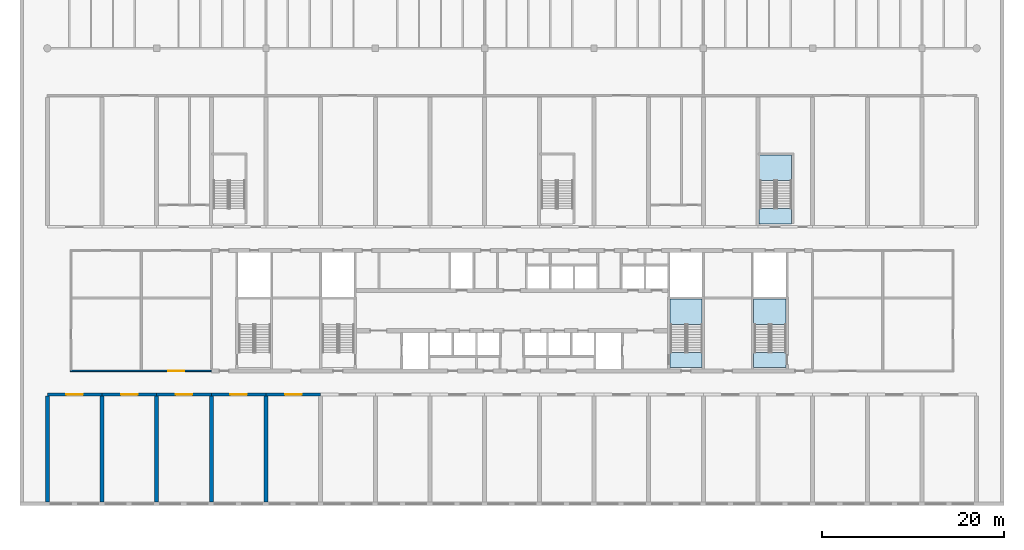
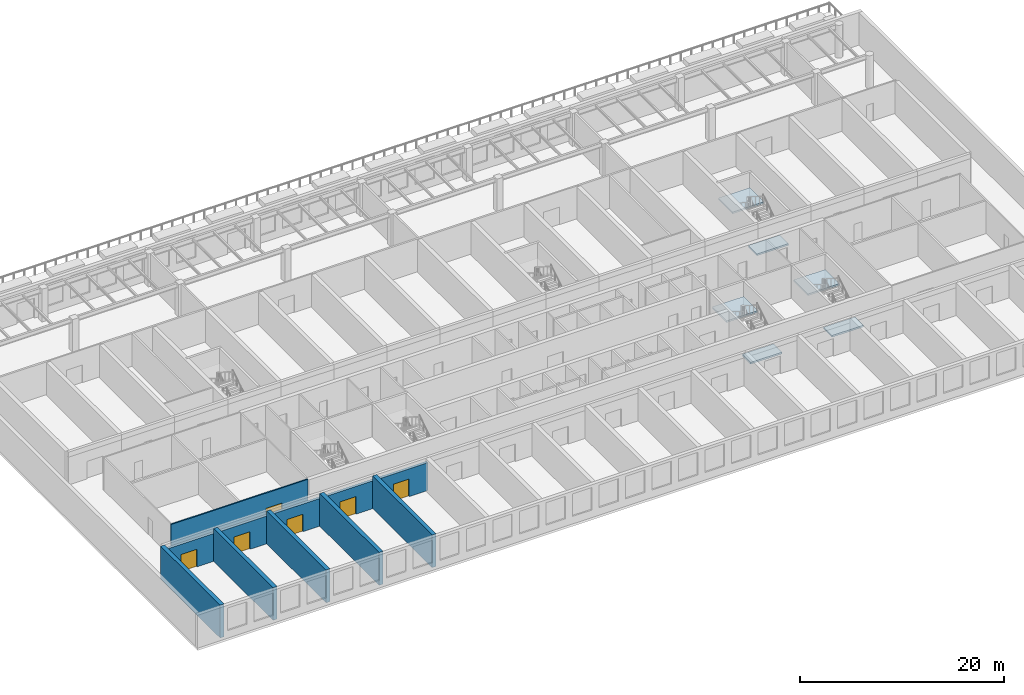
# One storey, part 2 of 16: 11 walls, 6 doors, 6 slabs, 6 openings, 3 elements without a shape of their own.
"""IFC4 building model written with IfcOpenShell, lengths in metres."""

from ifc_helpers import new_model, si_unit, direction, frame, frame_2d, origin, place, context, subcontext, project, spatial, polyline, rectangle, outline, extrude, material, layer, layer_set, type_object, element, fill, aggregate, save


model = new_model("IFC4")

# Units and contexts
model_context = context("Model", 3, precision=1e-05, world=origin(), true_north=direction((0.0, 1.0)))
body_context = subcontext(model_context, "Body", "Model", "MODEL_VIEW")
ifc_project = project(units=[si_unit("LENGTHUNIT", "METRE"), si_unit("AREAUNIT", "SQUARE_METRE"), si_unit("VOLUMEUNIT", "CUBIC_METRE"), si_unit("PLANEANGLEUNIT", "RADIAN"), si_unit("MASSUNIT", "GRAM", prefix="KILO")], contexts=[model_context])

# Site, building, storey
site_placement = place(None, origin())
site = spatial("IfcSite", under=ifc_project, at=site_placement, CompositionType="ELEMENT")
building_placement = place(site_placement, origin())
building = spatial("IfcBuilding", under=site, at=building_placement, Name="Poui Terraces", CompositionType="ELEMENT")
storey_placement = place(building_placement, frame((0.0, 0.0, 15.0)))
storey = spatial("IfcBuildingStorey", under=building, at=storey_placement, Name="L03", CompositionType="ELEMENT", Elevation=15.0)

# Stair, slabs
ifc_material_1 = material(Name="Concrete 80 MPa", Category="concrete")
stair_type = type_object("IfcStairType", Name="EXIT STAIR 1650 80 MPA", PredefinedType="HALF_TURN_STAIR", material=ifc_material_1)
stair_1_placement = place(storey_placement, origin())
stair_1 = element("IfcStair", 1, at=stair_1_placement, inside=storey, type_object=stair_type, Name="L03 CORE STAIR EAST", PredefinedType="HALF_TURN_STAIR")
ifc_layer_1 = layer(ifc_material_1, 0.199951171875)
ifc_layer_set_1 = layer_set([ifc_layer_1], Name="Concrete 80 MPa")
slab_type = type_object("IfcSlabType", Name="STAIR LANDING 200 80 MPA", PredefinedType="LANDING", material=ifc_layer_set_1)
slab_1_placement = place(storey_placement, frame((0.0, 0.0, 1.89990234375)))
slab_1 = element("IfcSlab", 2, at=slab_1_placement, type_object=slab_type, Name="ST-CE landing 1", PredefinedType="LANDING", context=body_context, shape_type="SweptSolid", body=[
    extrude(outline(polyline([(68.324951171875, 19.679931640625), (71.875, 19.679931640625), (71.875, 22.47509765625), (68.324951171875, 22.47509765625), (68.324951171875, 19.679931640625)])), origin(), (0.0, 0.0, 1.0), 0.2001953125),
])
slab_2_placement = place(storey_placement, frame((0.0, 0.0, -0.2001953125)))
slab_2 = element("IfcSlab", 3, at=slab_2_placement, type_object=slab_type, Name="ST-CE landing 2", PredefinedType="LANDING", context=body_context, shape_type="SweptSolid", body=[
    extrude(outline(polyline([(68.324951171875, 14.949951171875), (71.875, 14.949951171875), (71.875, 16.60009765625), (68.324951171875, 16.60009765625), (68.324951171875, 14.949951171875)])), origin(), (0.0, 0.0, 1.0), 0.2001953125),
])
aggregate(stair_1, [slab_1, slab_2])

stair_2_placement = place(storey_placement, origin())
stair_2 = element("IfcStair", 4, at=stair_2_placement, inside=storey, type_object=stair_type, Name="L03 TIP STAIR EAST", PredefinedType="HALF_TURN_STAIR")
slab_3_placement = place(storey_placement, frame((0.0, 0.0, 1.89990234375)))
slab_3 = element("IfcSlab", 5, at=slab_3_placement, type_object=slab_type, Name="ST-E landing 1", PredefinedType="LANDING", context=body_context, shape_type="SweptSolid", body=[
    extrude(outline(polyline([(77.52490234375, 19.679931640625), (81.074951171875, 19.679931640625), (81.074951171875, 22.47509765625), (77.52490234375, 22.47509765625), (77.52490234375, 19.679931640625)])), origin(), (0.0, 0.0, 1.0), 0.2001953125),
])
slab_4_placement = place(storey_placement, frame((0.0, 0.0, -0.2001953125)))
slab_4 = element("IfcSlab", 6, at=slab_4_placement, type_object=slab_type, Name="ST-E landing 2", PredefinedType="LANDING", context=body_context, shape_type="SweptSolid", body=[
    extrude(outline(polyline([(77.52490234375, 14.949951171875), (81.074951171875, 14.949951171875), (81.074951171875, 16.60009765625), (77.52490234375, 16.60009765625), (77.52490234375, 14.949951171875)])), origin(), (0.0, 0.0, 1.0), 0.2001953125),
])
aggregate(stair_2, [slab_3, slab_4])

stair_3_placement = place(storey_placement, origin())
stair_3 = element("IfcStair", 7, at=stair_3_placement, inside=storey, type_object=stair_type, Name="L03 PODIUM STAIR 2", PredefinedType="HALF_TURN_STAIR")
slab_5_placement = place(storey_placement, frame((0.0, 0.0, 1.89990234375)))
slab_5 = element("IfcSlab", 8, at=slab_5_placement, type_object=slab_type, Name="ST-N2 landing 1", PredefinedType="LANDING", context=body_context, shape_type="SweptSolid", body=[
    extrude(outline(polyline([(78.125, 35.47998046875), (81.675048828125, 35.47998046875), (81.675048828125, 38.27490234375), (78.125, 38.27490234375), (78.125, 35.47998046875)])), origin(), (0.0, 0.0, 1.0), 0.2001953125),
])
slab_6_placement = place(storey_placement, frame((0.0, 0.0, -0.2001953125)))
slab_6 = element("IfcSlab", 9, at=slab_6_placement, type_object=slab_type, Name="ST-N2 landing 2", PredefinedType="LANDING", context=body_context, shape_type="SweptSolid", body=[
    extrude(outline(polyline([(78.125, 30.699951171875), (81.675048828125, 30.699951171875), (81.675048828125, 32.39990234375), (78.125, 32.39990234375), (78.125, 30.699951171875)])), origin(), (0.0, 0.0, 1.0), 0.2001953125),
])
aggregate(stair_3, [slab_5, slab_6])

# Wall, opening, door
ifc_material_2 = material(Name="Fire-rated plasterboard wall")
ifc_layer_2 = layer(ifc_material_2, 0.14990234375)
ifc_layer_set_2 = layer_set([ifc_layer_2], Name="Fire-rated plasterboard wall")
wall_type_1 = type_object("IfcWallType", Name="CORRIDOR WALL 150", PredefinedType="PARTITIONING", material=ifc_layer_set_2)
wall_1_placement = place(storey_placement, frame((2.52490234375, 14.60009765625, 0.0), z_axis=(0.0, 0.0, 1.0), x_axis=(1.0, 0.0, 0.0)))
wall_1 = element("IfcWall", 10, at=wall_1_placement, inside=storey, type_object=wall_type_1, Name="CORRIDOR WALL 150", PredefinedType="PARTITIONING", context=body_context, shape_type="SweptSolid", body=[
    extrude(rectangle(XDim=15.465087890625, YDim=0.14990234375, at=frame_2d((7.732421875, 0.0))), origin(), (0.0, 0.0, 1.0), 3.919921875),
])
opening_1_placement = place(wall_1_placement, frame((10.72509765625, 0.0, 0.0)))
opening_1 = element("IfcOpeningElement", 11, at=opening_1_placement, cuts=wall_1, Name="Opening DD180", PredefinedType="OPENING", context=body_context, shape_type="SweptSolid", body=[
    extrude(rectangle(XDim=1.800048828125, YDim=2.10009765625, at=frame_2d((0.89990234375, 1.050048828125))), frame((0.0, 0.0849609375, 0.0), z_axis=(0.0, -1.0, 0.0), x_axis=(1.0, 0.0, 0.0)), (0.0, 0.0, 1.0), 0.169921875),
])
ifc_material_3 = material(Name="Steel fire door", Category="steel")
door_type = type_object("IfcDoorType", Name="DOUBLE INTERNAL DOOR 1800 X 2100", OperationType="DOUBLE_DOOR_SINGLE_SWING", PredefinedType="DOOR", material=ifc_material_3)
door_1_placement = place(opening_1_placement, frame((1.800048828125, 0.0, 0.0), z_axis=(0.0, 0.0, 1.0), x_axis=(-1.0, 0.0, 0.0)))
door_1 = element("IfcDoor", 12, at=door_1_placement, inside=storey, type_object=door_type, Name="DOUBLE INTERNAL DOOR 045", OperationType="DOUBLE_DOOR_SINGLE_SWING", OverallHeight=2.10009765625, OverallWidth=1.800048828125, PredefinedType="DOOR", context=body_context, shape_type="SweptSolid", body=[
    extrude(rectangle(XDim=1.800048828125, YDim=2.10009765625, at=frame_2d((0.89990234375, 1.050048828125))), frame((0.0, 0.02490234375, 0.0), z_axis=(0.0, -1.0, 0.0), x_axis=(1.0, 0.0, 0.0)), (0.0, 0.0, 1.0), 0.050048828125),
])
fill(opening_1, door_1)

ifc_layer_3 = layer(ifc_material_1, 0.300048828125)
ifc_layer_set_3 = layer_set([ifc_layer_3], Name="Concrete 80 MPa")
wall_type_2 = type_object("IfcWallType", Name="CORRIDOR WALL 300 80MPa", PredefinedType="SHEAR", material=ifc_layer_set_3)
wall_2_placement = place(storey_placement, frame((0.0, 12.0, 0.0), z_axis=(0.0, 0.0, 1.0), x_axis=(1.0, 0.0, 0.0)))
wall_2 = element("IfcWall", 13, at=wall_2_placement, inside=storey, type_object=wall_type_2, Name="CORRIDOR WALL LINE B BAY 1", PredefinedType="SHEAR", context=body_context, shape_type="SweptSolid", body=[
    extrude(rectangle(XDim=6.0, YDim=0.300048828125, at=frame_2d((3.0, 0.0))), origin(), (0.0, 0.0, 1.0), 3.320068359375),
])
opening_2_placement = place(wall_2_placement, frame((2.10009765625, 0.0, 0.0)))
opening_2 = element("IfcOpeningElement", 14, at=opening_2_placement, cuts=wall_2, Name="Opening DD180", PredefinedType="OPENING", context=body_context, shape_type="SweptSolid", body=[
    extrude(rectangle(XDim=1.800048828125, YDim=2.10009765625, at=frame_2d((0.89990234375, 1.050048828125))), frame((0.0, 0.16015625, 0.0), z_axis=(0.0, -1.0, 0.0), x_axis=(1.0, 0.0, 0.0)), (0.0, 0.0, 1.0), 0.320068359375),
])
door_2_placement = place(opening_2_placement, origin())
door_2 = element("IfcDoor", 15, at=door_2_placement, inside=storey, type_object=door_type, Name="DOUBLE INTERNAL DOOR 043", OperationType="DOUBLE_DOOR_SINGLE_SWING", OverallHeight=2.10009765625, OverallWidth=1.800048828125, PredefinedType="DOOR", context=body_context, shape_type="SweptSolid", body=[
    extrude(rectangle(XDim=1.800048828125, YDim=2.10009765625, at=frame_2d((0.89990234375, 1.050048828125))), frame((0.0, 0.02490234375, 0.0), z_axis=(0.0, -1.0, 0.0), x_axis=(1.0, 0.0, 0.0)), (0.0, 0.0, 1.0), 0.050048828125),
])
fill(opening_2, door_2)

wall_3_placement = place(storey_placement, frame((6.0, 12.0, 0.0), z_axis=(0.0, 0.0, 1.0), x_axis=(1.0, 0.0, 0.0)))
wall_3 = element("IfcWall", 16, at=wall_3_placement, inside=storey, type_object=wall_type_2, Name="CORRIDOR WALL LINE B BAY 2", PredefinedType="SHEAR", context=body_context, shape_type="SweptSolid", body=[
    extrude(rectangle(XDim=6.0, YDim=0.300048828125, at=frame_2d((3.0, 0.0))), origin(), (0.0, 0.0, 1.0), 3.320068359375),
])
opening_3_placement = place(wall_3_placement, frame((2.10009765625, 0.0, 0.0)))
opening_3 = element("IfcOpeningElement", 17, at=opening_3_placement, cuts=wall_3, Name="Opening DD180", PredefinedType="OPENING", context=body_context, shape_type="SweptSolid", body=[
    extrude(rectangle(XDim=1.800048828125, YDim=2.10009765625, at=frame_2d((0.89990234375, 1.050048828125))), frame((0.0, 0.16015625, 0.0), z_axis=(0.0, -1.0, 0.0), x_axis=(1.0, 0.0, 0.0)), (0.0, 0.0, 1.0), 0.320068359375),
])
door_3_placement = place(opening_3_placement, origin())
door_3 = element("IfcDoor", 18, at=door_3_placement, inside=storey, type_object=door_type, Name="DOUBLE INTERNAL DOOR 044", OperationType="DOUBLE_DOOR_SINGLE_SWING", OverallHeight=2.10009765625, OverallWidth=1.800048828125, PredefinedType="DOOR", context=body_context, shape_type="SweptSolid", body=[
    extrude(rectangle(XDim=1.800048828125, YDim=2.10009765625, at=frame_2d((0.89990234375, 1.050048828125))), frame((0.0, 0.02490234375, 0.0), z_axis=(0.0, -1.0, 0.0), x_axis=(1.0, 0.0, 0.0)), (0.0, 0.0, 1.0), 0.050048828125),
])
fill(opening_3, door_3)

wall_4_placement = place(storey_placement, frame((12.0, 12.0, 0.0), z_axis=(0.0, 0.0, 1.0), x_axis=(1.0, 0.0, 0.0)))
wall_4 = element("IfcWall", 19, at=wall_4_placement, inside=storey, type_object=wall_type_2, Name="CORRIDOR WALL LINE B BAY 3", PredefinedType="SHEAR", context=body_context, shape_type="SweptSolid", body=[
    extrude(rectangle(XDim=6.0, YDim=0.300048828125, at=frame_2d((3.0, 0.0))), origin(), (0.0, 0.0, 1.0), 3.320068359375),
])
opening_4_placement = place(wall_4_placement, frame((2.10009765625, 0.0, 0.0)))
opening_4 = element("IfcOpeningElement", 20, at=opening_4_placement, cuts=wall_4, Name="Opening DD180", PredefinedType="OPENING", context=body_context, shape_type="SweptSolid", body=[
    extrude(rectangle(XDim=1.800048828125, YDim=2.10009765625, at=frame_2d((0.89990234375, 1.050048828125))), frame((0.0, 0.16015625, 0.0), z_axis=(0.0, -1.0, 0.0), x_axis=(1.0, 0.0, 0.0)), (0.0, 0.0, 1.0), 0.320068359375),
])
door_4_placement = place(opening_4_placement, origin())
door_4 = element("IfcDoor", 21, at=door_4_placement, inside=storey, type_object=door_type, Name="DOUBLE INTERNAL DOOR 046", OperationType="DOUBLE_DOOR_SINGLE_SWING", OverallHeight=2.10009765625, OverallWidth=1.800048828125, PredefinedType="DOOR", context=body_context, shape_type="SweptSolid", body=[
    extrude(rectangle(XDim=1.800048828125, YDim=2.10009765625, at=frame_2d((0.89990234375, 1.050048828125))), frame((0.0, 0.02490234375, 0.0), z_axis=(0.0, -1.0, 0.0), x_axis=(1.0, 0.0, 0.0)), (0.0, 0.0, 1.0), 0.050048828125),
])
fill(opening_4, door_4)

wall_5_placement = place(storey_placement, frame((18.0, 12.0, 0.0), z_axis=(0.0, 0.0, 1.0), x_axis=(1.0, 0.0, 0.0)))
wall_5 = element("IfcWall", 22, at=wall_5_placement, inside=storey, type_object=wall_type_2, Name="CORRIDOR WALL LINE B BAY 4", PredefinedType="SHEAR", context=body_context, shape_type="SweptSolid", body=[
    extrude(rectangle(XDim=6.0, YDim=0.300048828125, at=frame_2d((3.0, 0.0))), origin(), (0.0, 0.0, 1.0), 3.320068359375),
])
opening_5_placement = place(wall_5_placement, frame((2.10009765625, 0.0, 0.0)))
opening_5 = element("IfcOpeningElement", 23, at=opening_5_placement, cuts=wall_5, Name="Opening DD180", PredefinedType="OPENING", context=body_context, shape_type="SweptSolid", body=[
    extrude(rectangle(XDim=1.800048828125, YDim=2.10009765625, at=frame_2d((0.89990234375, 1.050048828125))), frame((0.0, 0.16015625, 0.0), z_axis=(0.0, -1.0, 0.0), x_axis=(1.0, 0.0, 0.0)), (0.0, 0.0, 1.0), 0.320068359375),
])
door_5_placement = place(opening_5_placement, origin())
door_5 = element("IfcDoor", 24, at=door_5_placement, inside=storey, type_object=door_type, Name="DOUBLE INTERNAL DOOR 048", OperationType="DOUBLE_DOOR_SINGLE_SWING", OverallHeight=2.10009765625, OverallWidth=1.800048828125, PredefinedType="DOOR", context=body_context, shape_type="SweptSolid", body=[
    extrude(rectangle(XDim=1.800048828125, YDim=2.10009765625, at=frame_2d((0.89990234375, 1.050048828125))), frame((0.0, 0.02490234375, 0.0), z_axis=(0.0, -1.0, 0.0), x_axis=(1.0, 0.0, 0.0)), (0.0, 0.0, 1.0), 0.050048828125),
])
fill(opening_5, door_5)

wall_6_placement = place(storey_placement, frame((24.0, 12.0, 0.0), z_axis=(0.0, 0.0, 1.0), x_axis=(1.0, 0.0, 0.0)))
wall_6 = element("IfcWall", 25, at=wall_6_placement, inside=storey, type_object=wall_type_2, Name="CORRIDOR WALL LINE B BAY 5", PredefinedType="SHEAR", context=body_context, shape_type="SweptSolid", body=[
    extrude(rectangle(XDim=6.0, YDim=0.300048828125, at=frame_2d((3.0, 0.0))), origin(), (0.0, 0.0, 1.0), 3.320068359375),
])
opening_6_placement = place(wall_6_placement, frame((2.10009765625, 0.0, 0.0)))
opening_6 = element("IfcOpeningElement", 26, at=opening_6_placement, cuts=wall_6, Name="Opening DD180", PredefinedType="OPENING", context=body_context, shape_type="SweptSolid", body=[
    extrude(rectangle(XDim=1.800048828125, YDim=2.10009765625, at=frame_2d((0.89990234375, 1.050048828125))), frame((0.0, 0.16015625, 0.0), z_axis=(0.0, -1.0, 0.0), x_axis=(1.0, 0.0, 0.0)), (0.0, 0.0, 1.0), 0.320068359375),
])
door_6_placement = place(opening_6_placement, origin())
door_6 = element("IfcDoor", 27, at=door_6_placement, inside=storey, type_object=door_type, Name="DOUBLE INTERNAL DOOR 049", OperationType="DOUBLE_DOOR_SINGLE_SWING", OverallHeight=2.10009765625, OverallWidth=1.800048828125, PredefinedType="DOOR", context=body_context, shape_type="SweptSolid", body=[
    extrude(rectangle(XDim=1.800048828125, YDim=2.10009765625, at=frame_2d((0.89990234375, 1.050048828125))), frame((0.0, 0.02490234375, 0.0), z_axis=(0.0, -1.0, 0.0), x_axis=(1.0, 0.0, 0.0)), (0.0, 0.0, 1.0), 0.050048828125),
])
fill(opening_6, door_6)

# Walls
ifc_layer_4 = layer(ifc_material_1, 0.449951171875)
ifc_layer_set_4 = layer_set([ifc_layer_4], Name="Concrete 80 MPa")
wall_type_3 = type_object("IfcWallType", Name="CROSS WALL 450 80MPa", PredefinedType="SHEAR", material=ifc_layer_set_4)
for number, where, z_axis, x_axis, name in (
    (28, (0.0, 0.199951171875, 0.0), (0.0, 0.0, 1.0), (0.0, 1.0, 0.0), "CROSS WALL LINE 1 SOUTH"),
    (29, (6.0, 0.199951171875, 0.0), (0.0, 0.0, 1.0), (0.0, 1.0, 0.0), "CROSS WALL LINE 2 SOUTH"),
    (30, (12.0, 0.199951171875, 0.0), (0.0, 0.0, 1.0), (0.0, 1.0, 0.0), "CROSS WALL LINE 3 SOUTH"),
    (31, (18.0, 0.199951171875, 0.0), (0.0, 0.0, 1.0), (0.0, 1.0, 0.0), "CROSS WALL LINE 4 SOUTH"),
    (32, (24.0, 0.199951171875, 0.0), (0.0, 0.0, 1.0), (0.0, 1.0, 0.0), "CROSS WALL LINE 5 SOUTH"),
):
    element("IfcWall", number, at=place(storey_placement, frame(where, z_axis=z_axis, x_axis=x_axis)), inside=storey, type_object=wall_type_3, Name=name, PredefinedType="SHEAR", context=body_context, shape_type="SweptSolid", body=[
        extrude(rectangle(XDim=11.650146484375, YDim=0.449951171875, at=frame_2d((5.8251953125, 0.0))), origin(), (0.0, 0.0, 1.0), 3.919921875),
    ])

save(model, "model.ifc")
